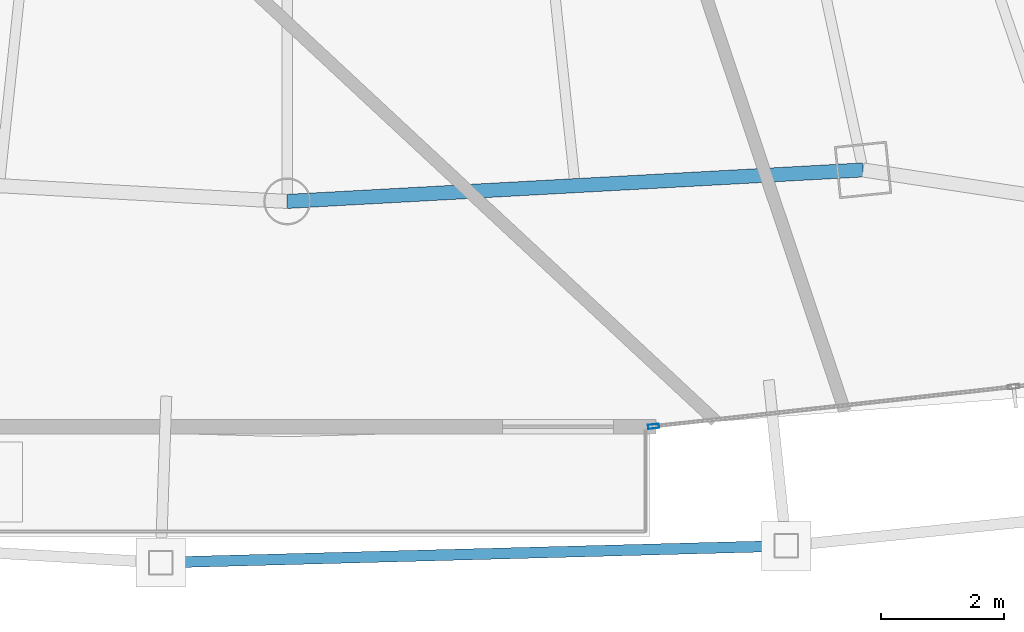
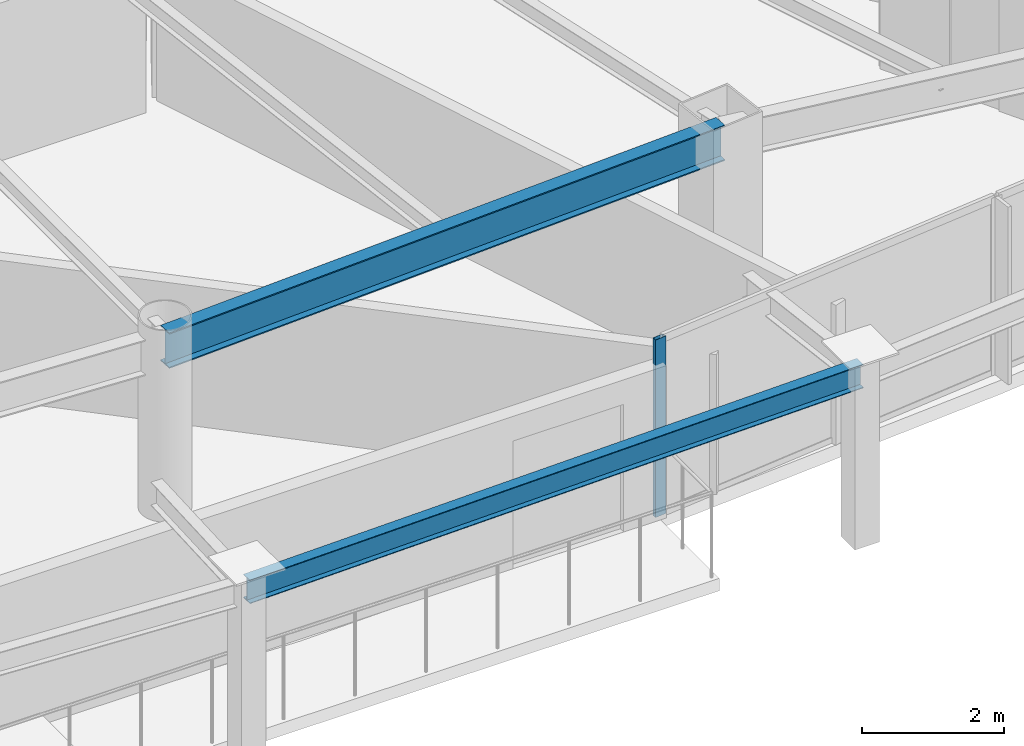
# One storey, part 7 of 31: 2 beams, 1 member, 1 element without a shape of its own.
"""IFC4 building model written with IfcOpenShell, lengths in metres."""

import ifcopenshell
import ifcopenshell.guid

model = None  # the IFC model being written
_history = None  # IfcOwnerHistory: only IFC2X3 demands one
_inside = {}  # id of a spatial element -> (the spatial element, [elements in it])
_under = {}  # id of a project, library or spatial element -> (it, [spatial elements below it])
_declared = {}  # id of a project -> (the project, [libraries it declares])
_typed = {}  # id of a type object -> (the type object, [elements of that type])
_made_of = {}  # id of a material, layer set ... -> (it, [elements and type objects made of it])


def new_model(schema):
    """Start an empty IFC model of exactly this schema.

    Asked for "IFC4X3", IfcOpenShell would pick the latest addendum, in which some entities
    have other attributes; the version numbers below select the first issue.
    IFC2X3 requires an IfcOwnerHistory on every rooted entity: one is made here for all.
    """
    global model, _history
    if schema == "IFC4X3":
        model = ifcopenshell.file(schema_version=(4, 3, 0, 0))
    else:
        model = ifcopenshell.file(schema=schema)
    _inside.clear()
    _under.clear()
    _declared.clear()
    _typed.clear()
    _made_of.clear()
    _history = None
    if model.schema == "IFC2X3":
        org = make("IfcOrganization", Name="unknown")
        user = make(
            "IfcPersonAndOrganization",
            ThePerson=make("IfcPerson", FamilyName="unknown"),
            TheOrganization=org,
        )
        app = make(
            "IfcApplication",
            ApplicationDeveloper=org,
            Version="unknown",
            ApplicationFullName="unknown",
            ApplicationIdentifier="unknown",
        )
        _history = make(
            "IfcOwnerHistory",
            OwningUser=user,
            OwningApplication=app,
            ChangeAction="ADDED",
            CreationDate=0,
        )
    return model


def make(cls, **values):
    """One entity of the class cls with the attributes given. An attribute that is None is left unset."""
    return model.create_entity(
        cls, **{name: value for name, value in values.items() if value is not None}
    )


def rooted(cls, **values):
    """An entity with a GlobalId (a new one), such as an element, a storey or a relation."""
    return make(cls, GlobalId=ifcopenshell.guid.new(), OwnerHistory=_history, **values)


def si_unit(unit_type, name, prefix=None):
    """IfcSIUnit, for example si_unit("LENGTHUNIT", "METRE", prefix="MILLI")."""
    return make("IfcSIUnit", UnitType=unit_type, Prefix=prefix, Name=name)


def assignment(units):
    """IfcUnitAssignment: the units of a project."""
    return None if units is None else make("IfcUnitAssignment", Units=units)


def point(xyz):
    """IfcCartesianPoint."""
    return None if xyz is None else make("IfcCartesianPoint", Coordinates=xyz)


def direction(xyz):
    """IfcDirection."""
    return None if xyz is None else make("IfcDirection", DirectionRatios=xyz)


def frame(location, z_axis=None, x_axis=None):
    """IfcAxis2Placement3D, a coordinate frame: its origin and axes. An axis left out is left unset."""
    return make(
        "IfcAxis2Placement3D",
        Location=point(location),
        Axis=direction(z_axis),
        RefDirection=direction(x_axis),
    )


def frame_2d(location, x_axis=None):
    """IfcAxis2Placement2D, a coordinate frame in the plane: its origin and x axis."""
    return make(
        "IfcAxis2Placement2D", Location=point(location), RefDirection=direction(x_axis)
    )


def origin():
    """The frame at (0, 0, 0) with its axes left unset."""
    return frame((0.0, 0.0, 0.0))


def origin_2d():
    """The frame at (0, 0) in the plane with its x axis left unset."""
    return frame_2d((0.0, 0.0))


def place(relative_to, where):
    """IfcLocalPlacement: puts the frame where relative to a parent placement (None: the world)."""
    return make(
        "IfcLocalPlacement", PlacementRelTo=relative_to, RelativePlacement=where
    )


def context(
    kind, dimensions, precision=None, world=None, true_north=None, identifier=None
):
    """IfcGeometricRepresentationContext, for example the 3D "Model" context."""
    return make(
        "IfcGeometricRepresentationContext",
        ContextIdentifier=identifier,
        ContextType=kind,
        CoordinateSpaceDimension=dimensions,
        Precision=precision,
        WorldCoordinateSystem=world,
        TrueNorth=true_north,
    )


def subcontext(parent, identifier, kind, view, scale=None):
    """IfcGeometricRepresentationSubContext, for example "Body" below "Model"."""
    return make(
        "IfcGeometricRepresentationSubContext",
        ContextIdentifier=identifier,
        ContextType=kind,
        ParentContext=parent,
        TargetScale=scale,
        TargetView=view,
    )


def project(units=None, contexts=None):
    """IfcProject with its units and contexts."""
    return rooted(
        "IfcProject",
        Name="project",
        RepresentationContexts=contexts,
        UnitsInContext=assignment(units),
    )


def spatial(cls, under=None, at=None, **own):
    """A site, building, storey or space (cls), placed at a placement, below another one or the project."""
    s = rooted(cls, ObjectPlacement=at, **own)
    if under is not None:
        _under.setdefault(under.id(), (under, []))[1].append(s)
    return s


def profile(cls, at=None, kind="AREA", **sizes):
    """A parametric profile (cls). Its sizes go by their IFC names, for example OverallWidth=200.0."""
    return make(cls, ProfileType=kind, Position=at, **sizes)


def hollow_rectangle(**sizes):
    """IfcRectangleHollowProfileDef."""
    return profile("IfcRectangleHollowProfileDef", **sizes)


def i_section(**sizes):
    """IfcIShapeProfileDef."""
    return profile("IfcIShapeProfileDef", **sizes)


def extrude(swept, where, along, depth):
    """IfcExtrudedAreaSolid: the profile swept, set in the frame where, extruded along a direction by depth."""
    return make(
        "IfcExtrudedAreaSolid",
        SweptArea=swept,
        Position=where,
        ExtrudedDirection=direction(along),
        Depth=depth,
    )


def shape(context_of_items, identifier, shape_type, items):
    """IfcShapeRepresentation: the items that make up one representation, for example the "Body"."""
    return make(
        "IfcShapeRepresentation",
        ContextOfItems=context_of_items,
        RepresentationIdentifier=identifier,
        RepresentationType=shape_type,
        Items=items,
    )


def material(Name=None, Category=None):
    """IfcMaterial."""
    return make("IfcMaterial", Name=Name, Category=Category)


def layer(
    of_material, thickness, ventilated=None, Name=None, Category=None, Priority=None
):
    """IfcMaterialLayer: one layer of a wall or slab, of a material (None: an air gap)."""
    return make(
        "IfcMaterialLayer",
        Material=of_material,
        LayerThickness=thickness,
        IsVentilated=ventilated,
        Name=Name,
        Category=Category,
        Priority=Priority,
    )


def layer_set(layers, Name=None):
    """IfcMaterialLayerSet."""
    return make("IfcMaterialLayerSet", MaterialLayers=layers, LayerSetName=Name)


def material_profile(
    of_material, cross_section, Name=None, Category=None, Priority=None
):
    """IfcMaterialProfile: a cross section and its material."""
    return make(
        "IfcMaterialProfile",
        Name=Name,
        Material=of_material,
        Profile=cross_section,
        Priority=Priority,
        Category=Category,
    )


def profile_set(profiles, Name=None, composite=None):
    """IfcMaterialProfileSet."""
    return make(
        "IfcMaterialProfileSet",
        Name=Name,
        MaterialProfiles=profiles,
        CompositeProfile=composite,
    )


def made_of(thing, what):
    """Note that an element or type object is made of a material, layer set ...; save() writes the relation."""
    if what is not None:
        _made_of.setdefault(what.id(), (what, []))[1].append(thing)
    return thing


def type_object(cls, material=None, **own):
    """A type object (cls), such as IfcWallType, which elements share."""
    return made_of(rooted(cls, **own), material)


def element(
    cls,
    number,
    at=None,
    inside=None,
    cuts=None,
    type_object=None,
    material=None,
    context=None,
    identifier="Body",
    shape_type=None,
    held_by="IfcProductDefinitionShape",
    body=None,
    shapes=None,
    **own,
):
    """One element of the class cls, such as IfcWall. Its Tag is "e" and its number.

    at: its placement. inside: the storey or other place that contains it. cuts: it is an
    opening in that element (IfcRelVoidsElement). A single representation is given by context,
    identifier, shape_type and body (its items); several are given by shapes. held_by: the class
    of the entity that holds the representations. save() writes the other relations.
    """
    e = rooted(cls, Tag="e%d" % number, ObjectPlacement=at, **own)
    if body is not None:
        shapes = [shape(context, identifier, shape_type, body)]
    if shapes is not None:
        e.Representation = make(held_by, Representations=shapes)
    if inside is not None:
        _inside.setdefault(inside.id(), (inside, []))[1].append(e)
    if cuts is not None:
        rooted(
            "IfcRelVoidsElement", RelatingBuildingElement=cuts, RelatedOpeningElement=e
        )
    if type_object is not None:
        _typed.setdefault(type_object.id(), (type_object, []))[1].append(e)
    return made_of(e, material)


def aggregate(whole, parts):
    """IfcRelAggregates: a whole, such as a stair, and the parts it consists of."""
    return rooted("IfcRelAggregates", RelatingObject=whole, RelatedObjects=parts)


def save(model, path):
    """Write the relations noted so far, then the file.

    IfcRelAggregates (storeys below a building ...), IfcRelContainedInSpatialStructure (elements
    in a storey), IfcRelDefinesByType, IfcRelAssociatesMaterial and IfcRelDeclares: one each for
    every whole, place, type object, material and project.
    """
    for whole, parts in _under.values():
        aggregate(whole, parts)
    for where, things in _inside.values():
        rooted(
            "IfcRelContainedInSpatialStructure",
            RelatedElements=things,
            RelatingStructure=where,
        )
    for kind, things in _typed.values():
        rooted("IfcRelDefinesByType", RelatedObjects=things, RelatingType=kind)
    for what, things in _made_of.values():
        rooted("IfcRelAssociatesMaterial", RelatedObjects=things, RelatingMaterial=what)
    for by, libraries in _declared.values():
        rooted("IfcRelDeclares", RelatingContext=by, RelatedDefinitions=libraries)
    model.write(path)


model = new_model("IFC4")

# Units and contexts
model_context = context("Model", 3, precision=1e-05, world=origin(), true_north=direction((0.0, 1.0)))
body_context = subcontext(model_context, "Body", "Model", "MODEL_VIEW")
ifc_project = project(units=[si_unit("LENGTHUNIT", "METRE"), si_unit("AREAUNIT", "SQUARE_METRE"), si_unit("VOLUMEUNIT", "CUBIC_METRE"), si_unit("PLANEANGLEUNIT", "RADIAN"), si_unit("MASSUNIT", "GRAM", prefix="KILO")], contexts=[model_context])

# Site, building, storey
site_placement = place(None, origin())
site = spatial("IfcSite", under=ifc_project, at=site_placement, CompositionType="ELEMENT")
building_placement = place(site_placement, origin())
building = spatial("IfcBuilding", under=site, at=building_placement, Name="Orvanel Arch Residences", CompositionType="ELEMENT")
storey_placement = place(building_placement, frame((0.0, 0.0, 133.10009765625)))
storey = spatial("IfcBuildingStorey", under=building, at=storey_placement, Name="L37", CompositionType="ELEMENT", Elevation=133.10009765625)

# Curtain wall, member
ifc_material_1 = material(Name="Bronze-anodised aluminium AA6063-T6", Category="aluminium")
ifc_layer = layer(ifc_material_1, 0.179931640625)
ifc_layer_set = layer_set([ifc_layer], Name="Bronze-anodised aluminium AA6063-T6")
curtain_wall_type = type_object("IfcCurtainWallType", Name="CW3-MID-SYS", PredefinedType="NOTDEFINED", material=ifc_layer_set)
curtain_wall_placement = place(storey_placement, origin())
curtain_wall = element("IfcCurtainWall", 1, at=curtain_wall_placement, inside=storey, type_object=curtain_wall_type, Name="L37 CW3-MID-SYS Unitised Curtain Wall", PredefinedType="NOTDEFINED")
ifc_material_profile_1 = material_profile(ifc_material_1, hollow_rectangle(XDim=0.070068359375, YDim=0.179931640625, WallThickness=0.00439453125, at=origin_2d()), Name="ALU180x70x4.5")
ifc_profile_set_1 = profile_set([ifc_material_profile_1], Name="Bronze-anodised aluminium AA6063-T6")
member_type = type_object("IfcMemberType", Name="MUL-180x70", PredefinedType="MULLION", material=ifc_profile_set_1)
member_placement = place(storey_placement, frame((38.94970703125, 3.19091796875, 0.0), z_axis=(0.0, 0.0, 1.0), x_axis=(-0.109627687319, 0.993972721041, 0.0)))
member = element("IfcMember", 2, at=member_placement, type_object=member_type, Name="CW-S3 mullion 1", PredefinedType="MULLION", context=body_context, shape_type="SweptSolid", body=[
    extrude(hollow_rectangle(XDim=0.070068359375, YDim=0.179931640625, WallThickness=0.00439453125, at=origin_2d()), origin(), (0.0, 0.0, 1.0), 3.059814453125),
])
aggregate(curtain_wall, [member])

# Beams
ifc_material_2 = material(Name="Structural steel AS/NZS 3679.1 Grade 300 (300 MPa)", Category="steel")
ifc_material_profile_2 = material_profile(ifc_material_2, i_section(OverallWidth=0.177978515625, OverallDepth=0.406005859375, WebThickness=0.0078125, FlangeThickness=0.0126953125, at=origin_2d()), Name="410UB59.7")
ifc_profile_set_2 = profile_set([ifc_material_profile_2], Name="Structural steel AS/NZS 3679.1 Grade 300 (300 MPa)")
beam_type_1 = type_object("IfcBeamType", Name="OB-410UB-EXT", PredefinedType="SPANDREL", material=ifc_profile_set_2)
beam_1_placement = place(storey_placement, frame((30.946044921875, 0.97900390625, 2.85693359375), z_axis=(0.999644189842, 0.026673839533, 0.0), x_axis=(-0.026673839533, 0.999644189842, 0.0)))
element("IfcBeam", 3, at=beam_1_placement, inside=storey, type_object=beam_type_1, Name="L37 Outer Perimeter Floor Ring Beam 06", PredefinedType="SPANDREL", context=body_context, shape_type="SweptSolid", body=[
    extrude(i_section(OverallWidth=0.177978515625, OverallDepth=0.406005859375, WebThickness=0.0078125, FlangeThickness=0.0126953125, at=origin_2d()), origin(), (0.0, 0.0, 1.0), 10.15966796875),
])
ifc_material_profile_3 = material_profile(ifc_material_2, i_section(OverallWidth=0.22900390625, OverallDepth=0.612060546875, WebThickness=0.011962890625, FlangeThickness=0.01953125, at=origin_2d()), Name="610UB125")
ifc_profile_set_3 = profile_set([ifc_material_profile_3], Name="Structural steel AS/NZS 3679.1 Grade 300 (300 MPa)")
beam_type_2 = type_object("IfcBeamType", Name="SP-610UB", PredefinedType="SPANDREL", material=ifc_profile_set_3)
beam_2_placement = place(storey_placement, frame((33.0, 6.843994140625, 2.75390625), z_axis=(0.998510315598, 0.054563262768, 0.0), x_axis=(-0.054563262768, 0.998510315598, 0.0)))
element("IfcBeam", 4, at=beam_2_placement, inside=storey, type_object=beam_type_2, Name="L37 Perimeter Spandrel Beam 06", PredefinedType="SPANDREL", context=body_context, shape_type="SweptSolid", body=[
    extrude(i_section(OverallWidth=0.22900390625, OverallDepth=0.612060546875, WebThickness=0.011962890625, FlangeThickness=0.01953125, at=origin_2d()), origin(), (0.0, 0.0, 1.0), 9.364990234375),
])

save(model, "model.ifc")
